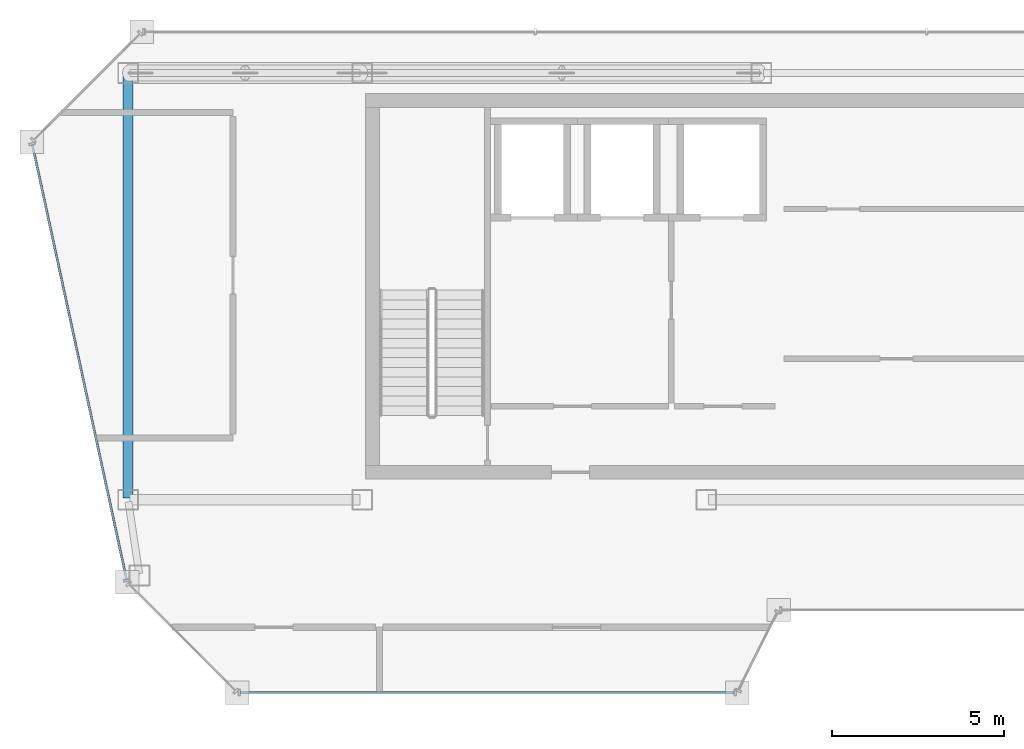
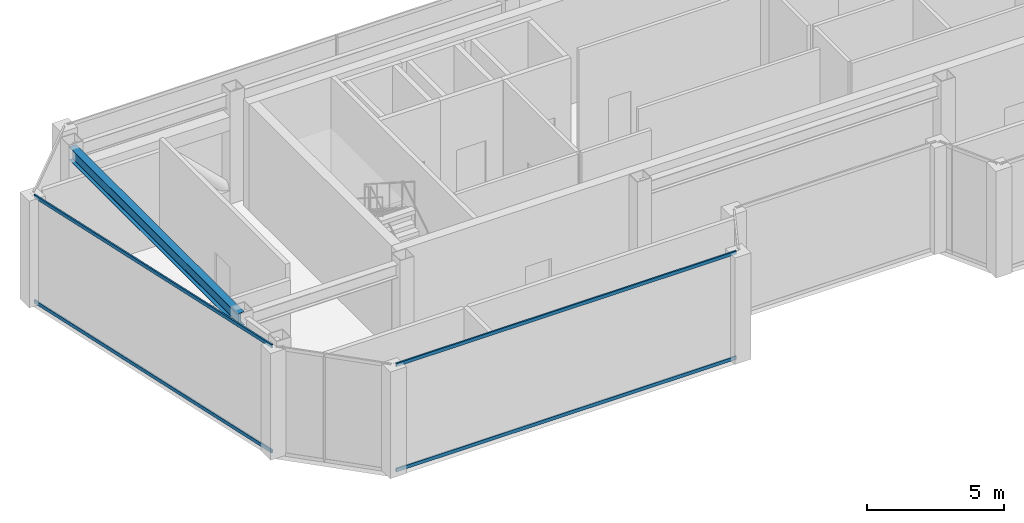
# One storey, part 3 of 20: 4 members, 1 beam, 2 elements without a shape of their own.
"""IFC4 building model written with IfcOpenShell, lengths in metres."""

import ifcopenshell
import ifcopenshell.guid

model = None  # the IFC model being written
_history = None  # IfcOwnerHistory: only IFC2X3 demands one
_inside = {}  # id of a spatial element -> (the spatial element, [elements in it])
_under = {}  # id of a project, library or spatial element -> (it, [spatial elements below it])
_declared = {}  # id of a project -> (the project, [libraries it declares])
_typed = {}  # id of a type object -> (the type object, [elements of that type])
_made_of = {}  # id of a material, layer set ... -> (it, [elements and type objects made of it])


def new_model(schema):
    """Start an empty IFC model of exactly this schema.

    Asked for "IFC4X3", IfcOpenShell would pick the latest addendum, in which some entities
    have other attributes; the version numbers below select the first issue.
    IFC2X3 requires an IfcOwnerHistory on every rooted entity: one is made here for all.
    """
    global model, _history
    if schema == "IFC4X3":
        model = ifcopenshell.file(schema_version=(4, 3, 0, 0))
    else:
        model = ifcopenshell.file(schema=schema)
    _inside.clear()
    _under.clear()
    _declared.clear()
    _typed.clear()
    _made_of.clear()
    _history = None
    if model.schema == "IFC2X3":
        org = make("IfcOrganization", Name="unknown")
        user = make(
            "IfcPersonAndOrganization",
            ThePerson=make("IfcPerson", FamilyName="unknown"),
            TheOrganization=org,
        )
        app = make(
            "IfcApplication",
            ApplicationDeveloper=org,
            Version="unknown",
            ApplicationFullName="unknown",
            ApplicationIdentifier="unknown",
        )
        _history = make(
            "IfcOwnerHistory",
            OwningUser=user,
            OwningApplication=app,
            ChangeAction="ADDED",
            CreationDate=0,
        )
    return model


def make(cls, **values):
    """One entity of the class cls with the attributes given. An attribute that is None is left unset."""
    return model.create_entity(
        cls, **{name: value for name, value in values.items() if value is not None}
    )


def rooted(cls, **values):
    """An entity with a GlobalId (a new one), such as an element, a storey or a relation."""
    return make(cls, GlobalId=ifcopenshell.guid.new(), OwnerHistory=_history, **values)


def si_unit(unit_type, name, prefix=None):
    """IfcSIUnit, for example si_unit("LENGTHUNIT", "METRE", prefix="MILLI")."""
    return make("IfcSIUnit", UnitType=unit_type, Prefix=prefix, Name=name)


def assignment(units):
    """IfcUnitAssignment: the units of a project."""
    return None if units is None else make("IfcUnitAssignment", Units=units)


def point(xyz):
    """IfcCartesianPoint."""
    return None if xyz is None else make("IfcCartesianPoint", Coordinates=xyz)


def direction(xyz):
    """IfcDirection."""
    return None if xyz is None else make("IfcDirection", DirectionRatios=xyz)


def frame(location, z_axis=None, x_axis=None):
    """IfcAxis2Placement3D, a coordinate frame: its origin and axes. An axis left out is left unset."""
    return make(
        "IfcAxis2Placement3D",
        Location=point(location),
        Axis=direction(z_axis),
        RefDirection=direction(x_axis),
    )


def frame_2d(location, x_axis=None):
    """IfcAxis2Placement2D, a coordinate frame in the plane: its origin and x axis."""
    return make(
        "IfcAxis2Placement2D", Location=point(location), RefDirection=direction(x_axis)
    )


def origin():
    """The frame at (0, 0, 0) with its axes left unset."""
    return frame((0.0, 0.0, 0.0))


def origin_2d():
    """The frame at (0, 0) in the plane with its x axis left unset."""
    return frame_2d((0.0, 0.0))


def place(relative_to, where):
    """IfcLocalPlacement: puts the frame where relative to a parent placement (None: the world)."""
    return make(
        "IfcLocalPlacement", PlacementRelTo=relative_to, RelativePlacement=where
    )


def context(
    kind, dimensions, precision=None, world=None, true_north=None, identifier=None
):
    """IfcGeometricRepresentationContext, for example the 3D "Model" context."""
    return make(
        "IfcGeometricRepresentationContext",
        ContextIdentifier=identifier,
        ContextType=kind,
        CoordinateSpaceDimension=dimensions,
        Precision=precision,
        WorldCoordinateSystem=world,
        TrueNorth=true_north,
    )


def subcontext(parent, identifier, kind, view, scale=None):
    """IfcGeometricRepresentationSubContext, for example "Body" below "Model"."""
    return make(
        "IfcGeometricRepresentationSubContext",
        ContextIdentifier=identifier,
        ContextType=kind,
        ParentContext=parent,
        TargetScale=scale,
        TargetView=view,
    )


def project(units=None, contexts=None):
    """IfcProject with its units and contexts."""
    return rooted(
        "IfcProject",
        Name="project",
        RepresentationContexts=contexts,
        UnitsInContext=assignment(units),
    )


def spatial(cls, under=None, at=None, **own):
    """A site, building, storey or space (cls), placed at a placement, below another one or the project."""
    s = rooted(cls, ObjectPlacement=at, **own)
    if under is not None:
        _under.setdefault(under.id(), (under, []))[1].append(s)
    return s


def profile(cls, at=None, kind="AREA", **sizes):
    """A parametric profile (cls). Its sizes go by their IFC names, for example OverallWidth=200.0."""
    return make(cls, ProfileType=kind, Position=at, **sizes)


def hollow_rectangle(**sizes):
    """IfcRectangleHollowProfileDef."""
    return profile("IfcRectangleHollowProfileDef", **sizes)


def i_section(**sizes):
    """IfcIShapeProfileDef."""
    return profile("IfcIShapeProfileDef", **sizes)


def extrude(swept, where, along, depth):
    """IfcExtrudedAreaSolid: the profile swept, set in the frame where, extruded along a direction by depth."""
    return make(
        "IfcExtrudedAreaSolid",
        SweptArea=swept,
        Position=where,
        ExtrudedDirection=direction(along),
        Depth=depth,
    )


def shape(context_of_items, identifier, shape_type, items):
    """IfcShapeRepresentation: the items that make up one representation, for example the "Body"."""
    return make(
        "IfcShapeRepresentation",
        ContextOfItems=context_of_items,
        RepresentationIdentifier=identifier,
        RepresentationType=shape_type,
        Items=items,
    )


def material(Name=None, Category=None):
    """IfcMaterial."""
    return make("IfcMaterial", Name=Name, Category=Category)


def material_profile(
    of_material, cross_section, Name=None, Category=None, Priority=None
):
    """IfcMaterialProfile: a cross section and its material."""
    return make(
        "IfcMaterialProfile",
        Name=Name,
        Material=of_material,
        Profile=cross_section,
        Priority=Priority,
        Category=Category,
    )


def profile_set(profiles, Name=None, composite=None):
    """IfcMaterialProfileSet."""
    return make(
        "IfcMaterialProfileSet",
        Name=Name,
        MaterialProfiles=profiles,
        CompositeProfile=composite,
    )


def made_of(thing, what):
    """Note that an element or type object is made of a material, layer set ...; save() writes the relation."""
    if what is not None:
        _made_of.setdefault(what.id(), (what, []))[1].append(thing)
    return thing


def type_object(cls, material=None, **own):
    """A type object (cls), such as IfcWallType, which elements share."""
    return made_of(rooted(cls, **own), material)


def element(
    cls,
    number,
    at=None,
    inside=None,
    cuts=None,
    type_object=None,
    material=None,
    context=None,
    identifier="Body",
    shape_type=None,
    held_by="IfcProductDefinitionShape",
    body=None,
    shapes=None,
    **own,
):
    """One element of the class cls, such as IfcWall. Its Tag is "e" and its number.

    at: its placement. inside: the storey or other place that contains it. cuts: it is an
    opening in that element (IfcRelVoidsElement). A single representation is given by context,
    identifier, shape_type and body (its items); several are given by shapes. held_by: the class
    of the entity that holds the representations. save() writes the other relations.
    """
    e = rooted(cls, Tag="e%d" % number, ObjectPlacement=at, **own)
    if body is not None:
        shapes = [shape(context, identifier, shape_type, body)]
    if shapes is not None:
        e.Representation = make(held_by, Representations=shapes)
    if inside is not None:
        _inside.setdefault(inside.id(), (inside, []))[1].append(e)
    if cuts is not None:
        rooted(
            "IfcRelVoidsElement", RelatingBuildingElement=cuts, RelatedOpeningElement=e
        )
    if type_object is not None:
        _typed.setdefault(type_object.id(), (type_object, []))[1].append(e)
    return made_of(e, material)


def aggregate(whole, parts):
    """IfcRelAggregates: a whole, such as a stair, and the parts it consists of."""
    return rooted("IfcRelAggregates", RelatingObject=whole, RelatedObjects=parts)


def save(model, path):
    """Write the relations noted so far, then the file.

    IfcRelAggregates (storeys below a building ...), IfcRelContainedInSpatialStructure (elements
    in a storey), IfcRelDefinesByType, IfcRelAssociatesMaterial and IfcRelDeclares: one each for
    every whole, place, type object, material and project.
    """
    for whole, parts in _under.values():
        aggregate(whole, parts)
    for where, things in _inside.values():
        rooted(
            "IfcRelContainedInSpatialStructure",
            RelatedElements=things,
            RelatingStructure=where,
        )
    for kind, things in _typed.values():
        rooted("IfcRelDefinesByType", RelatedObjects=things, RelatingType=kind)
    for what, things in _made_of.values():
        rooted("IfcRelAssociatesMaterial", RelatedObjects=things, RelatingMaterial=what)
    for by, libraries in _declared.values():
        rooted("IfcRelDeclares", RelatingContext=by, RelatedDefinitions=libraries)
    model.write(path)


model = new_model("IFC4")

# Units and contexts
model_context = context("Model", 3, precision=1e-05, world=origin(), true_north=direction((0.0, 1.0)))
body_context = subcontext(model_context, "Body", "Model", "MODEL_VIEW")
ifc_project = project(units=[si_unit("LENGTHUNIT", "METRE"), si_unit("AREAUNIT", "SQUARE_METRE"), si_unit("VOLUMEUNIT", "CUBIC_METRE"), si_unit("PLANEANGLEUNIT", "RADIAN"), si_unit("MASSUNIT", "GRAM", prefix="KILO")], contexts=[model_context])

# Site, building, storey
site_placement = place(None, origin())
site = spatial("IfcSite", under=ifc_project, at=site_placement, CompositionType="ELEMENT")
building_placement = place(site_placement, origin())
building = spatial("IfcBuilding", under=site, at=building_placement, Name="Saevonmaru Cultural Tower", CompositionType="ELEMENT")
storey_placement = place(building_placement, frame((0.0, 0.0, 314.199951171875)))
storey = spatial("IfcBuildingStorey", under=building, at=storey_placement, Name="L75", CompositionType="ELEMENT", Elevation=314.199951171875)

# Beam
ifc_material_1 = material(Name="Steel SM355", Category="steel")
ifc_material_profile_1 = material_profile(ifc_material_1, i_section(OverallWidth=0.300048828125, OverallDepth=0.587890625, WebThickness=0.011962890625, FlangeThickness=0.02001953125, FilletRadius=0.02392578125, at=origin_2d()), Name="H-588x300x12x20")
ifc_profile_set_1 = profile_set([ifc_material_profile_1], Name="Steel SM355")
beam_type = type_object("IfcBeamType", Name="BM-G-H588", PredefinedType="BEAM", material=ifc_profile_set_1)
beam_placement = place(storey_placement, frame((6.800048828125, 54.739990234375, 4.4560546875), z_axis=(0.0, -1.0, 0.0), x_axis=(1.0, 0.0, 0.0)))
element("IfcBeam", 1, at=beam_placement, inside=storey, type_object=beam_type, Name="L75 Spine Transverse Girder W", PredefinedType="BEAM", context=body_context, shape_type="SweptSolid", body=[
    extrude(i_section(OverallWidth=0.300048828125, OverallDepth=0.587890625, WebThickness=0.011962890625, FlangeThickness=0.02001953125, FilletRadius=0.02392578125, at=origin_2d()), origin(), (0.0, 0.0, 1.0), 12.280029296875),
])

# Curtain wall, members
ifc_material_2 = material(Name="Satin Bronze Anodised Aluminium", Category="aluminium")
curtain_wall_type = type_object("IfcCurtainWallType", Name="CW-TYP-B", PredefinedType="NOTDEFINED", material=ifc_material_2)
curtain_wall_1_placement = place(storey_placement, origin())
curtain_wall_1 = element("IfcCurtainWall", 2, at=curtain_wall_1_placement, inside=storey, type_object=curtain_wall_type, Name="L75 Wind-Floor Acoustic Louvre Screen E2", PredefinedType="NOTDEFINED")
ifc_material_profile_2 = material_profile(ifc_material_2, hollow_rectangle(XDim=0.06494140625, YDim=0.14990234375, WallThickness=0.00390625, at=origin_2d()), Name="ALU-TRAN-150x65x4")
ifc_profile_set_2 = profile_set([ifc_material_profile_2], Name="Satin Bronze Anodised Aluminium")
member_type = type_object("IfcMemberType", Name="TR-CW-150x65", PredefinedType="USERDEFINED", material=ifc_profile_set_2)
member_1_placement = place(storey_placement, frame((10.06591796875, 36.800048828125, 0.032470703125), z_axis=(1.0, 0.0, 0.0), x_axis=(0.0, 1.0, 0.0)))
member_1 = element("IfcMember", 3, at=member_1_placement, type_object=member_type, Name="CW-TW-L75-E2 transom 1.1", ObjectType="TRANSOM", PredefinedType="USERDEFINED", context=body_context, shape_type="SweptSolid", body=[
    extrude(hollow_rectangle(XDim=0.06494140625, YDim=0.14990234375, WallThickness=0.00390625, at=origin_2d()), origin(), (0.0, 0.0, 1.0), 14.341552734375),
])
member_2_placement = place(storey_placement, frame((10.06591796875, 36.800048828125, 4.717529296875), z_axis=(1.0, 0.0, 0.0), x_axis=(0.0, 1.0, 0.0)))
member_2 = element("IfcMember", 4, at=member_2_placement, type_object=member_type, Name="CW-TW-L75-E2 transom 1.2", ObjectType="TRANSOM", PredefinedType="USERDEFINED", context=body_context, shape_type="SweptSolid", body=[
    extrude(hollow_rectangle(XDim=0.06494140625, YDim=0.14990234375, WallThickness=0.00390625, at=origin_2d()), origin(), (0.0, 0.0, 1.0), 14.341552734375),
])
aggregate(curtain_wall_1, [member_1, member_2])

curtain_wall_2_placement = place(storey_placement, origin())
curtain_wall_2 = element("IfcCurtainWall", 5, at=curtain_wall_2_placement, inside=storey, type_object=curtain_wall_type, Name="L75 Wind-Floor Acoustic Louvre Screen E12", PredefinedType="NOTDEFINED")
member_3_placement = place(storey_placement, frame((4.01953125, 52.709716796875, 0.032470703125), z_axis=(0.211748230013, -0.977324248695, 0.0), x_axis=(0.977324248695, 0.211748230013, 0.0)))
member_3 = element("IfcMember", 6, at=member_3_placement, type_object=member_type, Name="CW-TW-L75-E12 transom 1.1", ObjectType="TRANSOM", PredefinedType="USERDEFINED", context=body_context, shape_type="SweptSolid", body=[
    extrude(hollow_rectangle(XDim=0.06494140625, YDim=0.14990234375, WallThickness=0.00390625, at=origin_2d()), origin(), (0.0, 0.0, 1.0), 12.912109375),
])
member_4_placement = place(storey_placement, frame((4.01953125, 52.709716796875, 4.717529296875), z_axis=(0.211748230013, -0.977324248695, 0.0), x_axis=(0.977324248695, 0.211748230013, 0.0)))
member_4 = element("IfcMember", 7, at=member_4_placement, type_object=member_type, Name="CW-TW-L75-E12 transom 1.2", ObjectType="TRANSOM", PredefinedType="USERDEFINED", context=body_context, shape_type="SweptSolid", body=[
    extrude(hollow_rectangle(XDim=0.06494140625, YDim=0.14990234375, WallThickness=0.00390625, at=origin_2d()), origin(), (0.0, 0.0, 1.0), 12.912109375),
])
aggregate(curtain_wall_2, [member_3, member_4])

save(model, "model.ifc")
